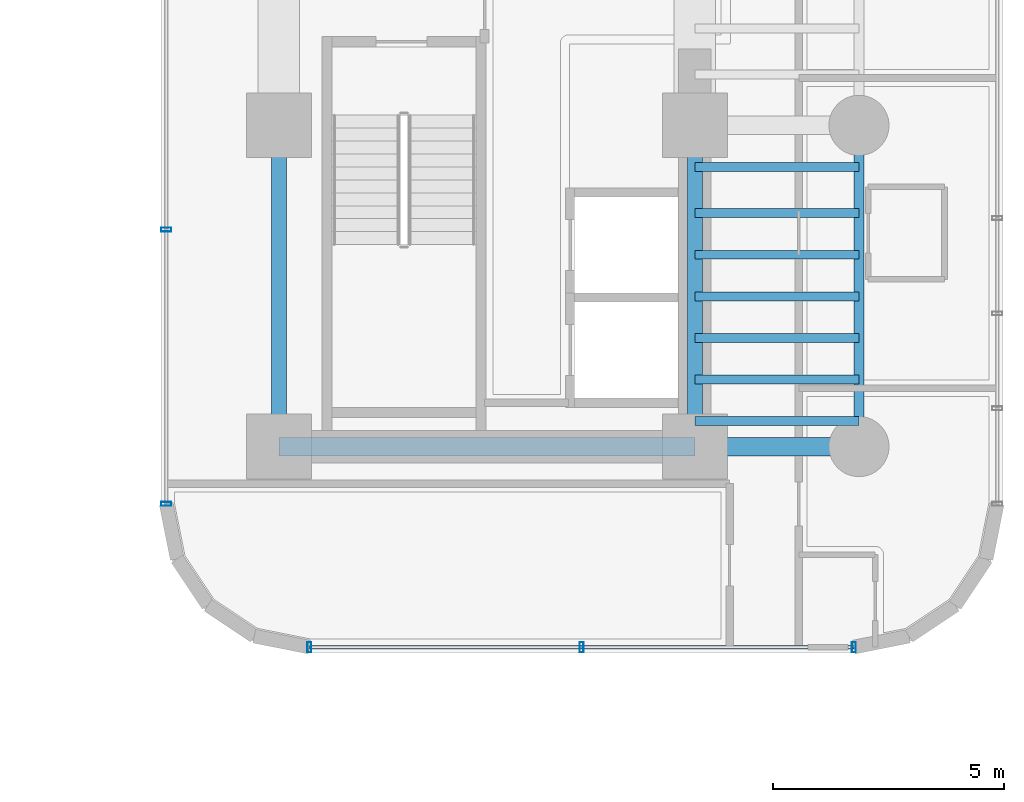
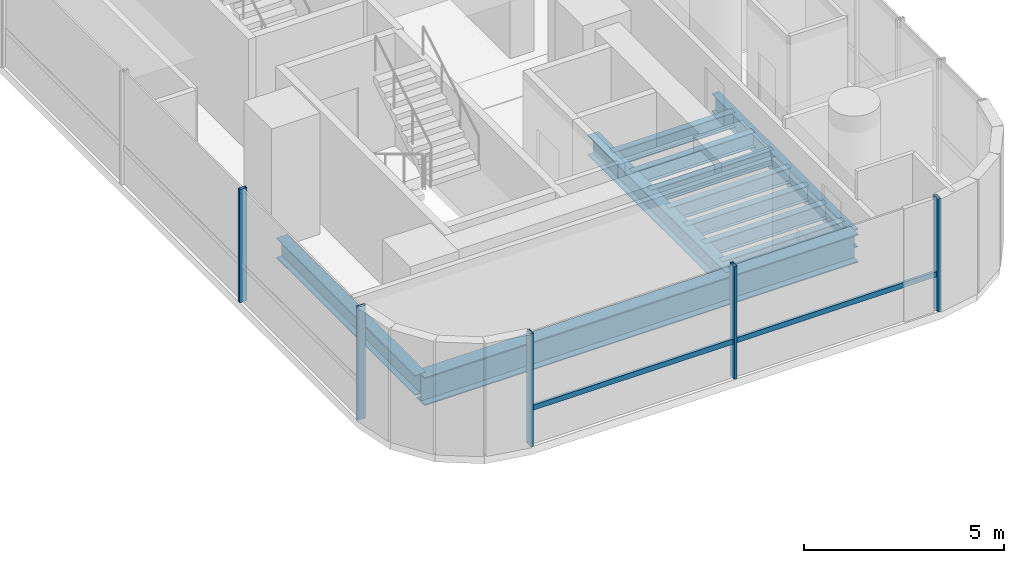
# One storey, part 12 of 39: 12 beams, 6 members, 2 elements without a shape of their own.
"""IFC4 building model written with IfcOpenShell, lengths in metres."""

from ifc_helpers import new_model, si_unit, direction, frame, origin, origin_2d, place, context, subcontext, project, spatial, hollow_rectangle, i_section, extrude, source, transform, mapped, material, material_profile, profile_set, type_object, element, aggregate, save


model = new_model("IFC4")

# Units and contexts
model_context = context("Model", 3, precision=1e-05, world=origin(), true_north=direction((0.0, 1.0)))
body_context = subcontext(model_context, "Body", "Model", "MODEL_VIEW")
ifc_project = project(units=[si_unit("LENGTHUNIT", "METRE"), si_unit("AREAUNIT", "SQUARE_METRE"), si_unit("VOLUMEUNIT", "CUBIC_METRE"), si_unit("PLANEANGLEUNIT", "RADIAN"), si_unit("MASSUNIT", "GRAM", prefix="KILO")], contexts=[model_context])

# Site, building, storey
site_placement = place(None, origin())
site = spatial("IfcSite", under=ifc_project, at=site_placement, CompositionType="ELEMENT")
building_placement = place(site_placement, origin())
building = spatial("IfcBuilding", under=site, at=building_placement, Name="Valdorenza Pilgrim Sanctuary Tower", CompositionType="ELEMENT")
storey_placement = place(building_placement, frame((0.0, 0.0, 74.10009765625)))
storey = spatial("IfcBuildingStorey", under=building, at=storey_placement, Name="L18", CompositionType="ELEMENT", Elevation=74.10009765625)

# Beams
ifc_material_1 = material(Name="Steel ASTM A992 Grade 50", Category="steel")
ifc_material_profile_1 = material_profile(ifc_material_1, i_section(OverallWidth=0.323974609375, OverallDepth=0.611083984375, WebThickness=0.0126953125, FlangeThickness=0.01904296875, at=origin_2d()), Name="W24X104")
ifc_profile_set_1 = profile_set([ifc_material_profile_1], Name="Steel ASTM A992 Grade 50")
beam_type_1 = type_object("IfcBeamType", Name="STR-BM-GRD-W24B", PredefinedType="BEAM", material=ifc_profile_set_1)
shared_shape_1 = source(origin(), body_context, "Body", "SweptSolid", [
    extrude(i_section(OverallWidth=0.323974609375, OverallDepth=0.611083984375, WebThickness=0.0126953125, FlangeThickness=0.01904296875, at=origin_2d()), origin(), (0.0, 0.0, 1.0), 6.949951171875),
])
for number, where, z_axis, x_axis, name in (
    (1, (15.85009765625, -9.550048828125, -0.545654296875), (0.0, 1.0, 0.0), (-1.0, 0.0, 0.0), "L18 Core Tie Girder CB-W-S1M0"),
    (2, (24.85009765625, -9.550048828125, -0.545654296875), (0.0, 1.0, 0.0), (-1.0, 0.0, 0.0), "L18 Core Tie Girder CB-E-S1M0"),
):
    element("IfcBeam", number, at=place(storey_placement, frame(where, z_axis=z_axis, x_axis=x_axis)), inside=storey, type_object=beam_type_1, Name=name, PredefinedType="BEAM", context=body_context, shape_type="MappedRepresentation", body=[
        mapped(shared_shape_1, transform((0.0, 0.0, 0.0), x_axis=(1.0, 0.0, 0.0), y_axis=(0.0, 1.0, 0.0), z_axis=(0.0, 0.0, 1.0), scale=1.0)),
    ])
ifc_material_profile_2 = material_profile(ifc_material_1, i_section(OverallWidth=0.214111328125, OverallDepth=0.549072265625, WebThickness=0.0146484375, FlangeThickness=0.023681640625, at=origin_2d()), Name="W21X93")
ifc_profile_set_2 = profile_set([ifc_material_profile_2], Name="Steel ASTM A992 Grade 50")
beam_type_2 = type_object("IfcBeamType", Name="STR-BM-SPN-W21A", PredefinedType="SPANDREL", material=ifc_profile_set_2)
shared_shape_2 = source(origin(), body_context, "Body", "SweptSolid", [
    extrude(i_section(OverallWidth=0.214111328125, OverallDepth=0.549072265625, WebThickness=0.0146484375, FlangeThickness=0.023681640625, at=origin_2d()), origin(), (0.0, 0.0, 1.0), 6.949951171875),
])
beam_1_placement = place(storey_placement, frame((28.39990234375, -9.550048828125, -0.5146484375), z_axis=(0.0, 1.0, 0.0), x_axis=(-1.0, 0.0, 0.0)))
element("IfcBeam", 3, at=beam_1_placement, inside=storey, type_object=beam_type_2, Name="L18 Spandrel Beam WB-E-S1M0", PredefinedType="SPANDREL", context=body_context, shape_type="MappedRepresentation", body=[
    mapped(shared_shape_2, transform((0.0, 0.0, 0.0), x_axis=(1.0, 0.0, 0.0), y_axis=(0.0, 1.0, 0.0), z_axis=(0.0, 0.0, 1.0), scale=1.0)),
])
ifc_material_profile_3 = material_profile(ifc_material_1, i_section(OverallWidth=0.193115234375, OverallDepth=0.466064453125, WebThickness=0.011474609375, FlangeThickness=0.01904296875, at=origin_2d()), Name="W18X65")
ifc_profile_set_3 = profile_set([ifc_material_profile_3], Name="Steel ASTM A992 Grade 50")
beam_type_3 = type_object("IfcBeamType", Name="STR-BM-JST-W18A", PredefinedType="JOIST", material=ifc_profile_set_3)
shared_shape_3 = source(origin(), body_context, "Body", "SweptSolid", [
    extrude(i_section(OverallWidth=0.193115234375, OverallDepth=0.466064453125, WebThickness=0.011474609375, FlangeThickness=0.01904296875, at=origin_2d()), origin(), (0.0, 0.0, 1.0), 3.5498046875),
])
for number, where, z_axis, x_axis, name in (
    (4, (24.85009765625, -9.0, -0.47314453125), (1.0, 0.0, 0.0), (0.0, 1.0, 0.0), "L18 Composite Floor Joist JST-WB-1"),
    (5, (24.85009765625, -8.10009765625, -0.47314453125), (1.0, 0.0, 0.0), (0.0, 1.0, 0.0), "L18 Composite Floor Joist JST-WB-2"),
    (6, (24.85009765625, -7.199951171875, -0.47314453125), (1.0, 0.0, 0.0), (0.0, 1.0, 0.0), "L18 Composite Floor Joist JST-WB-3"),
    (7, (24.85009765625, -6.300048828125, -0.47314453125), (1.0, 0.0, 0.0), (0.0, 1.0, 0.0), "L18 Composite Floor Joist JST-WB-4"),
    (8, (24.85009765625, -5.39990234375, -0.47314453125), (1.0, 0.0, 0.0), (0.0, 1.0, 0.0), "L18 Composite Floor Joist JST-WB-5"),
    (9, (24.85009765625, -4.5, -0.47314453125), (1.0, 0.0, 0.0), (0.0, 1.0, 0.0), "L18 Composite Floor Joist JST-WB-6"),
    (10, (24.85009765625, -3.5, -0.47314453125), (1.0, 0.0, 0.0), (0.0, 1.0, 0.0), "L18 Composite Floor Joist JST-WB-7"),
):
    element("IfcBeam", number, at=place(storey_placement, frame(where, z_axis=z_axis, x_axis=x_axis)), inside=storey, type_object=beam_type_3, Name=name, PredefinedType="JOIST", context=body_context, shape_type="MappedRepresentation", body=[
        mapped(shared_shape_3, transform((0.0, 0.0, 0.0), x_axis=(1.0, 0.0, 0.0), y_axis=(0.0, 1.0, 0.0), z_axis=(0.0, 0.0, 1.0), scale=1.0)),
    ])
ifc_material_profile_4 = material_profile(ifc_material_1, i_section(OverallWidth=0.39990234375, OverallDepth=0.862060546875, WebThickness=0.019775390625, FlangeThickness=0.032470703125, at=origin_2d()), Name="W33X221")
ifc_profile_set_4 = profile_set([ifc_material_profile_4], Name="Steel ASTM A992 Grade 50")
beam_type_4 = type_object("IfcBeamType", Name="STR-BM-GRD-W33", PredefinedType="BEAM", material=ifc_profile_set_4)
shared_shape_4 = source(origin(), body_context, "Body", "SweptSolid", [
    extrude(i_section(OverallWidth=0.39990234375, OverallDepth=0.862060546875, WebThickness=0.019775390625, FlangeThickness=0.032470703125, at=origin_2d()), origin(), (0.0, 0.0, 1.0), 9.0),
])
beam_2_placement = place(storey_placement, frame((15.85009765625, -9.550048828125, -0.671142578125), z_axis=(1.0, 0.0, 0.0), x_axis=(0.0, 1.0, 0.0)))
element("IfcBeam", 11, at=beam_2_placement, inside=storey, type_object=beam_type_4, Name="L18 Floor Girder CB-XC-S1", PredefinedType="BEAM", context=body_context, shape_type="MappedRepresentation", body=[
    mapped(shared_shape_4, transform((0.0, 0.0, 0.0), x_axis=(1.0, 0.0, 0.0), y_axis=(0.0, 1.0, 0.0), z_axis=(0.0, 0.0, 1.0), scale=1.0)),
])
shared_shape_5 = source(origin(), body_context, "Body", "SweptSolid", [
    extrude(i_section(OverallWidth=0.39990234375, OverallDepth=0.862060546875, WebThickness=0.019775390625, FlangeThickness=0.032470703125, at=origin_2d()), origin(), (0.0, 0.0, 1.0), 3.5498046875),
])
beam_3_placement = place(storey_placement, frame((24.85009765625, -9.550048828125, -0.671142578125), z_axis=(1.0, 0.0, 0.0), x_axis=(0.0, 1.0, 0.0)))
element("IfcBeam", 12, at=beam_3_placement, inside=storey, type_object=beam_type_4, Name="L18 Floor Girder WB-XE-S1", PredefinedType="BEAM", context=body_context, shape_type="MappedRepresentation", body=[
    mapped(shared_shape_5, transform((0.0, 0.0, 0.0), x_axis=(1.0, 0.0, 0.0), y_axis=(0.0, 1.0, 0.0), z_axis=(0.0, 0.0, 1.0), scale=1.0)),
])

# Curtain wall, members
ifc_material_2 = material(Name="Curtain-wall IGU glazing", Category="glass")
curtain_wall_type = type_object("IfcCurtainWallType", Name="CW-SYS-03", PredefinedType="NOTDEFINED", material=ifc_material_2)
curtain_wall_1_placement = place(storey_placement, origin())
curtain_wall_1 = element("IfcCurtainWall", 13, at=curtain_wall_1_placement, inside=storey, type_object=curtain_wall_type, Name="L18 Curtain Wall CW-L18-1-26", PredefinedType="NOTDEFINED")
ifc_material_3 = material(Name="Anodised aluminium AW-6060", Category="aluminium")
ifc_material_profile_5 = material_profile(ifc_material_3, hollow_rectangle(XDim=0.0849609375, YDim=0.219970703125, WallThickness=0.0048828125, at=origin_2d()), Name="ALU-M 220x85x5")
ifc_profile_set_5 = profile_set([ifc_material_profile_5], Name="Anodised aluminium AW-6060")
member_type_1 = type_object("IfcMemberType", Name="CW-MUL-03", PredefinedType="MULLION", material=ifc_profile_set_5)
shared_shape_6 = source(origin(), body_context, "Body", "SweptSolid", [
    extrude(hollow_rectangle(XDim=0.0849609375, YDim=0.219970703125, WallThickness=0.0048828125, at=origin_2d()), origin(), (0.0, 0.0, 1.0), 3.4599609375),
])
member_1_placement = place(storey_placement, frame((28.289306640625, -13.889892578125, 0.0), z_axis=(0.0, 0.0, 1.0), x_axis=(-1.0, 0.0, 0.0)))
member_1 = element("IfcMember", 14, at=member_1_placement, type_object=member_type_1, Name="CW-L18-1-26 Mullion 1", PredefinedType="MULLION", context=body_context, shape_type="MappedRepresentation", body=[
    mapped(shared_shape_6, transform((0.0, 0.0, 0.0), x_axis=(1.0, 0.0, 0.0), y_axis=(0.0, 1.0, 0.0), z_axis=(0.0, 0.0, 1.0), scale=1.0)),
])
member_2_placement = place(storey_placement, frame((22.39990234375, -13.889892578125, 0.0), z_axis=(0.0, 0.0, 1.0), x_axis=(-1.0, 0.0, 0.0)))
member_2 = element("IfcMember", 15, at=member_2_placement, type_object=member_type_1, Name="CW-L18-1-26 Mullion 2", PredefinedType="MULLION", context=body_context, shape_type="MappedRepresentation", body=[
    mapped(shared_shape_6, transform((0.0, 0.0, 0.0), x_axis=(1.0, 0.0, 0.0), y_axis=(0.0, 1.0, 0.0), z_axis=(0.0, 0.0, 1.0), scale=1.0)),
])
member_3_placement = place(storey_placement, frame((16.5107421875, -13.889892578125, 0.0), z_axis=(0.0, 0.0, 1.0), x_axis=(-1.0, 0.0, 0.0)))
member_3 = element("IfcMember", 16, at=member_3_placement, type_object=member_type_1, Name="CW-L18-1-26 Mullion 3", PredefinedType="MULLION", context=body_context, shape_type="MappedRepresentation", body=[
    mapped(shared_shape_6, transform((0.0, 0.0, 0.0), x_axis=(1.0, 0.0, 0.0), y_axis=(0.0, 1.0, 0.0), z_axis=(0.0, 0.0, 1.0), scale=1.0)),
])

curtain_wall_2_placement = place(storey_placement, origin())
curtain_wall_2 = element("IfcCurtainWall", 17, at=curtain_wall_2_placement, inside=storey, type_object=curtain_wall_type, Name="L18 Curtain Wall CW-L18-1-31", PredefinedType="NOTDEFINED")
member_4_placement = place(storey_placement, frame((13.409912109375, -10.789306640625, 0.0), z_axis=(0.0, 0.0, 1.0), x_axis=(0.0, 1.0, 0.0)))
member_4 = element("IfcMember", 18, at=member_4_placement, type_object=member_type_1, Name="CW-L18-1-31 Mullion 1", PredefinedType="MULLION", context=body_context, shape_type="MappedRepresentation", body=[
    mapped(shared_shape_6, transform((0.0, 0.0, 0.0), x_axis=(1.0, 0.0, 0.0), y_axis=(0.0, 1.0, 0.0), z_axis=(0.0, 0.0, 1.0), scale=1.0)),
])
member_5_placement = place(storey_placement, frame((13.409912109375, -4.85595703125, 0.0), z_axis=(0.0, 0.0, 1.0), x_axis=(0.0, 1.0, 0.0)))
member_5 = element("IfcMember", 19, at=member_5_placement, type_object=member_type_1, Name="CW-L18-1-31 Mullion 2", PredefinedType="MULLION", context=body_context, shape_type="MappedRepresentation", body=[
    mapped(shared_shape_6, transform((0.0, 0.0, 0.0), x_axis=(1.0, 0.0, 0.0), y_axis=(0.0, 1.0, 0.0), z_axis=(0.0, 0.0, 1.0), scale=1.0)),
])
aggregate(curtain_wall_2, [member_4, member_5])

# Member
ifc_material_profile_6 = material_profile(ifc_material_3, hollow_rectangle(XDim=0.074951171875, YDim=0.159912109375, WallThickness=0.00390625, at=origin_2d()), Name="ALU-T 160x75x4")
ifc_profile_set_6 = profile_set([ifc_material_profile_6], Name="Anodised aluminium AW-6060")
member_type_2 = type_object("IfcMemberType", Name="CW-TRN-03", PredefinedType="USERDEFINED", material=ifc_profile_set_6)
shared_shape_7 = source(origin(), body_context, "Body", "SweptSolid", [
    extrude(hollow_rectangle(XDim=0.074951171875, YDim=0.159912109375, WallThickness=0.00390625, at=origin_2d()), origin(), (0.0, 0.0, 1.0), 11.778564453125),
])
member_6_placement = place(storey_placement, frame((28.289306640625, -13.889892578125, 1.119873046875), z_axis=(-1.0, 0.0, 0.0), x_axis=(0.0, -1.0, 0.0)))
member_6 = element("IfcMember", 20, at=member_6_placement, type_object=member_type_2, Name="CW-L18-1-26 Transom 1", ObjectType="TRANSOM", PredefinedType="USERDEFINED", context=body_context, shape_type="MappedRepresentation", body=[
    mapped(shared_shape_7, transform((0.0, 0.0, 0.0), x_axis=(1.0, 0.0, 0.0), y_axis=(0.0, 1.0, 0.0), z_axis=(0.0, 0.0, 1.0), scale=1.0)),
])

aggregate(curtain_wall_1, [member_1, member_2, member_3, member_6])

save(model, "model.ifc")
